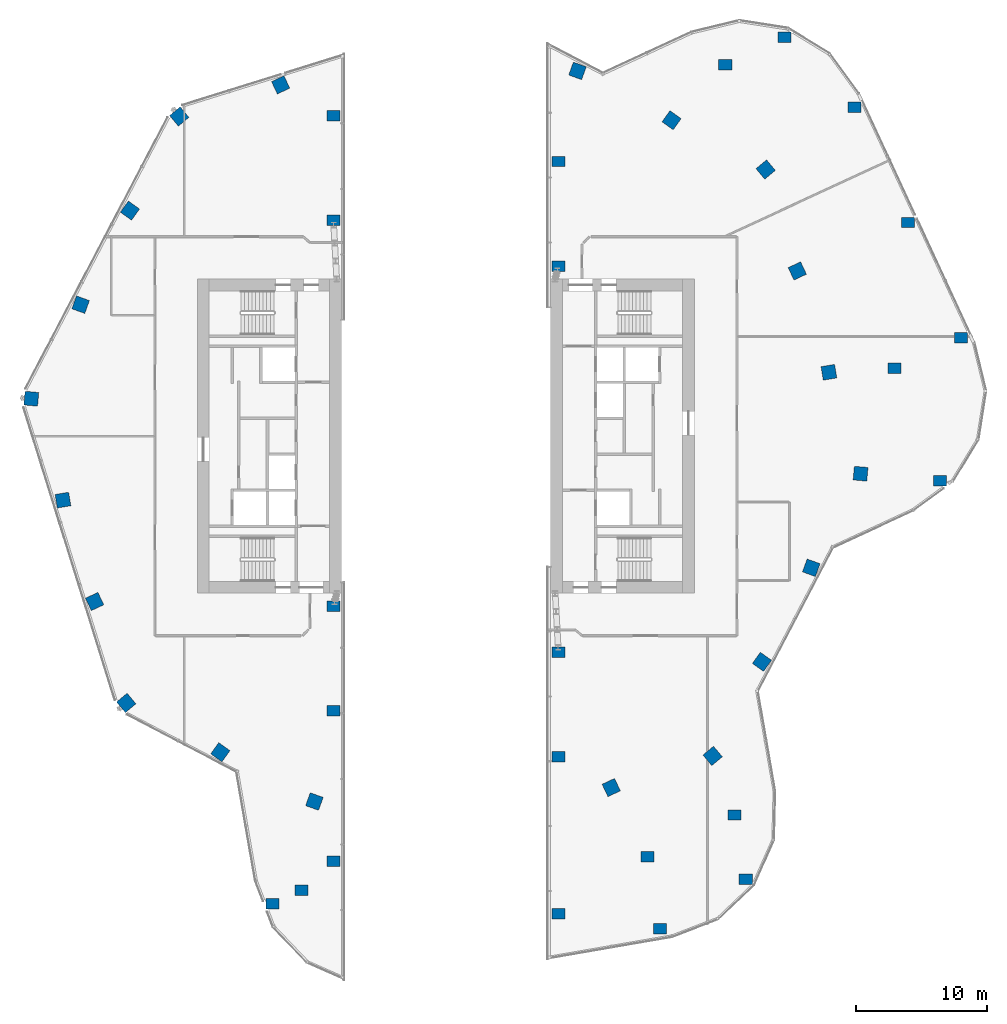
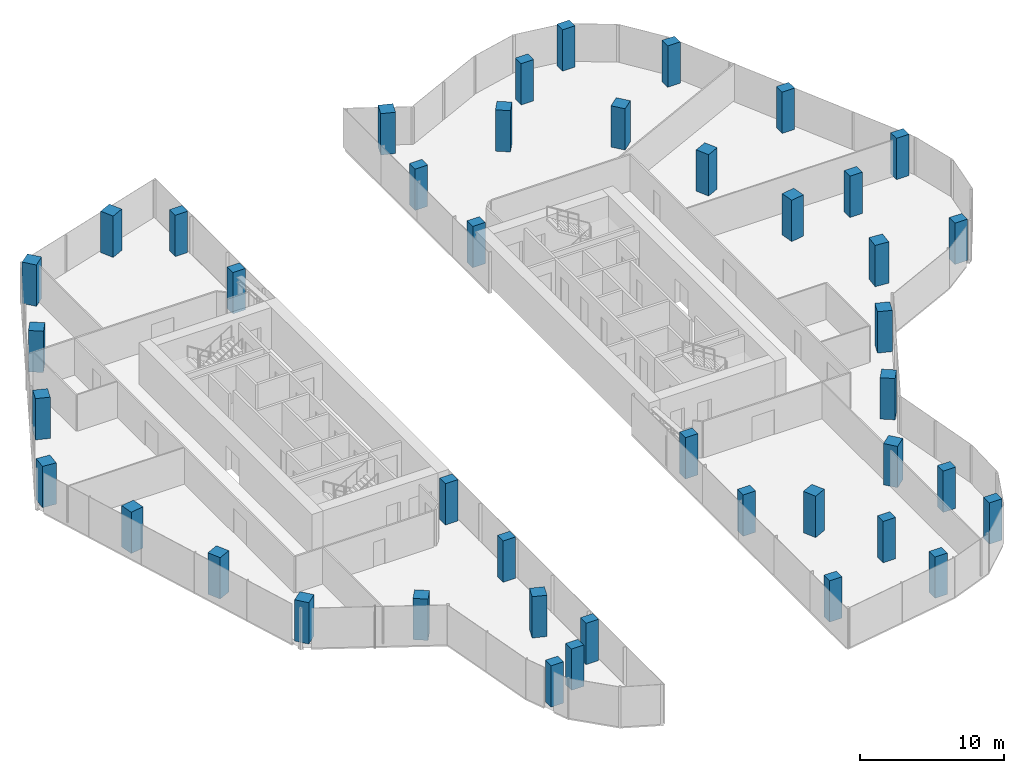
# One storey, part 1 of 23: 43 columns.
"""IFC4 building model written with IfcOpenShell, lengths in metres."""

from ifc_helpers import new_model, si_unit, direction, frame, origin, origin_2d, place, context, subcontext, project, spatial, rectangle, extrude, material, material_profile, profile_set, type_object, element, save


model = new_model("IFC4")

# Units and contexts
model_context = context("Model", 3, precision=1e-05, world=origin(), true_north=direction((0.0, 1.0)))
body_context = subcontext(model_context, "Body", "Model", "MODEL_VIEW")
ifc_project = project(units=[si_unit("LENGTHUNIT", "METRE"), si_unit("AREAUNIT", "SQUARE_METRE"), si_unit("VOLUMEUNIT", "CUBIC_METRE"), si_unit("PLANEANGLEUNIT", "RADIAN"), si_unit("MASSUNIT", "GRAM", prefix="KILO")], contexts=[model_context])

# Site, building, storey
site_placement = place(None, origin())
site = spatial("IfcSite", under=ifc_project, at=site_placement, CompositionType="ELEMENT")
building_placement = place(site_placement, origin())
building = spatial("IfcBuilding", under=site, at=building_placement, Name="Orlundy Tower", CompositionType="ELEMENT")
storey_placement = place(building_placement, frame((0.0, 0.0, 257.0)))
storey = spatial("IfcBuildingStorey", under=building, at=storey_placement, Name="L68", CompositionType="ELEMENT", Elevation=257.0)

# Columns
ifc_material_1 = material(Name="Concrete C60/75", Category="concrete")
ifc_material_profile_1 = material_profile(ifc_material_1, rectangle(XDim=1.0, YDim=0.800048828125, at=origin_2d()), Name="RC1000X800")
ifc_profile_set_1 = profile_set([ifc_material_profile_1], Name="Concrete C60/75")
column_type_1 = type_object("IfcColumnType", Name="RC COLUMN RC1000X800 C60/75", PredefinedType="COLUMN", material=ifc_profile_set_1)
for number, where, z_axis, x_axis, name in (
    (1, (37.758056640625, -3.389892578125, 0.0), (0.0, 0.0, 1.0), (1.0, 0.0, 0.0), "Column C-A1-1 L68"),
    (2, (39.376953125, 7.533935546875, 0.0), (0.0, 0.0, 1.0), (1.0, 0.0, 0.0), "Column C-A2-5 L68"),
    (3, (34.294921875, 5.181884765625, 0.0), (0.0, 0.0, 1.0), (1.0, 0.0, 0.0), "Column C-A2-6 L68"),
    (4, (35.302978515625, 16.3369140625, 0.0), (0.0, 0.0, 1.0), (1.0, 0.0, 0.0), "Column C-A3-5 L68"),
    (5, (31.22900390625, 25.139892578125, 0.0), (0.0, 0.0, 1.0), (1.0, 0.0, 0.0), "Column C-A4-5 L68"),
    (6, (25.885009765625, 30.48291015625, 0.0), (0.0, 0.0, 1.0), (1.0, 0.0, 0.0), "Column C-A5-5 L68"),
    (7, (21.346923828125, 28.383056640625, 0.0), (0.0, 0.0, 1.0), (1.0, 0.0, 0.0), "Column C-A5-6 L68"),
    (8, (-13.27392578125, -35.742919921875, 0.0), (0.0, 0.0, 1.0), (1.0, 0.0, 0.0), "Column C-B1-1 L68"),
    (9, (-11.031005859375, -34.68701171875, 0.0), (0.0, 0.0, 1.0), (1.0, 0.0, 0.0), "Column C-B1-6 L68"),
    (10, (16.3720703125, -37.656982421875, 0.0), (0.0, 0.0, 1.0), (1.0, 0.0, 0.0), "Column C-B4-5 L68"),
    (11, (15.4150390625, -32.138916015625, 0.0), (0.0, 0.0, 1.0), (1.0, 0.0, 0.0), "Column C-B4-6 L68"),
    (12, (22.916015625, -33.876953125, 0.0), (0.0, 0.0, 1.0), (1.0, 0.0, 0.0), "Column C-B5-5 L68"),
    (13, (22.06201171875, -28.950927734375, 0.0), (0.0, 0.0, 1.0), (1.0, 0.0, 0.0), "Column C-B5-6 L68"),
    (14, (8.60009765625, -36.5, 0.0), (0.0, 0.0, 1.0), (1.0, 0.0, 0.0), "Column C-SE1 L68"),
    (15, (8.60009765625, -24.5, 0.0), (0.0, 0.0, 1.0), (1.0, 0.0, 0.0), "Column C-SE2 L68"),
    (16, (8.60009765625, -16.5, 0.0), (0.0, 0.0, 1.0), (1.0, 0.0, 0.0), "Column C-SE3 L68"),
    (17, (8.60009765625, 13.0, 0.0), (0.0, 0.0, 1.0), (1.0, 0.0, 0.0), "Column C-SE4 L68"),
    (18, (8.60009765625, 21.0, 0.0), (0.0, 0.0, 1.0), (1.0, 0.0, 0.0), "Column C-SE5 L68"),
    (19, (-8.60009765625, 24.5, 0.0), (0.0, 0.0, 1.0), (1.0, 0.0, 0.0), "Column C-SW1 L68"),
    (20, (-8.60009765625, 16.5, 0.0), (0.0, 0.0, 1.0), (1.0, 0.0, 0.0), "Column C-SW2 L68"),
    (21, (-8.60009765625, -13.0, 0.0), (0.0, 0.0, 1.0), (1.0, 0.0, 0.0), "Column C-SW3 L68"),
    (22, (-8.60009765625, -21.0, 0.0), (0.0, 0.0, 1.0), (1.0, 0.0, 0.0), "Column C-SW4 L68"),
    (23, (-8.60009765625, -32.5, 0.0), (0.0, 0.0, 1.0), (1.0, 0.0, 0.0), "Column C-SW5 L68"),
):
    element("IfcColumn", number, at=place(storey_placement, frame(where, z_axis=z_axis, x_axis=x_axis)), inside=storey, type_object=column_type_1, Name=name, PredefinedType="COLUMN", context=body_context, shape_type="SweptSolid", body=[
        extrude(rectangle(XDim=1.0, YDim=0.800048828125, at=origin_2d()), origin(), (0.0, 0.0, 1.0), 3.5),
    ])
ifc_material_2 = material(Name="Concrete C60/75", Category="concrete")
ifc_material_profile_2 = material_profile(ifc_material_2, rectangle(XDim=1.050048828125, YDim=1.050048828125, at=origin_2d()), Name="RC1050X1050")
ifc_profile_set_2 = profile_set([ifc_material_profile_2], Name="Concrete C60/75")
column_type_2 = type_object("IfcColumnType", Name="RC COLUMN RC1050X1050 C60/75", PredefinedType="COLUMN", material=ifc_profile_set_2)
for number, where, z_axis, x_axis, name in (
    (24, (10.055908203125, 27.923095703125, 0.0), (0.0, 0.0, 1.0), (0.338836447191, 0.940845291243, 0.0), "Column C-H02 L68"),
    (25, (17.24609375, 24.154052734375, 0.0), (0.0, 0.0, 1.0), (0.581086534119, 0.813841778152, 0.0), "Column C-H03 L68"),
    (26, (24.43701171875, 20.384033203125, 0.0), (0.0, 0.0, 1.0), (0.767914719463, 0.640552092833, 0.0), "Column C-H04 L68"),
    (27, (26.85498046875, 12.634033203125, 0.0), (0.0, 0.0, 1.0), (0.904864205273, 0.425700328888, 0.0), "Column C-H05 L68"),
    (28, (29.27392578125, 4.884033203125, 0.0), (0.0, 0.0, 1.0), (0.986366141238, 0.1645655961, 0.0), "Column C-H06 L68"),
    (29, (31.693115234375, -2.865966796875, 0.0), (0.0, 0.0, 1.0), (0.99593643405, -0.09005897696, 0.0), "Column C-H07 L68"),
    (30, (27.923095703125, -10.055908203125, 0.0), (0.0, 0.0, 1.0), (0.940845291243, -0.338836447191, 0.0), "Column C-H08 L68"),
    (31, (24.154052734375, -17.24609375, 0.0), (0.0, 0.0, 1.0), (0.813841778152, -0.581086534119, 0.0), "Column C-H09 L68"),
    (32, (20.384033203125, -24.43701171875, 0.0), (0.0, 0.0, 1.0), (0.640552092833, -0.767914719463, 0.0), "Column C-H10 L68"),
    (33, (12.634033203125, -26.85498046875, 0.0), (0.0, 0.0, 1.0), (0.425700328888, -0.904864205273, 0.0), "Column C-H11 L68"),
    (34, (-10.055908203125, -27.923095703125, 0.0), (0.0, 0.0, 1.0), (-0.338836447191, -0.940845291243, 0.0), "Column C-H14 L68"),
    (35, (-17.24609375, -24.154052734375, 0.0), (0.0, 0.0, 1.0), (-0.581086534119, -0.813841778152, 0.0), "Column C-H15 L68"),
    (36, (-24.43701171875, -20.384033203125, 0.0), (0.0, 0.0, 1.0), (-0.767914719463, -0.640552092833, 0.0), "Column C-H16 L68"),
    (37, (-26.85498046875, -12.634033203125, 0.0), (0.0, 0.0, 1.0), (-0.904864205273, -0.425700328888, 0.0), "Column C-H17 L68"),
    (38, (-29.27392578125, -4.884033203125, 0.0), (0.0, 0.0, 1.0), (-0.986366141238, -0.1645655961, 0.0), "Column C-H18 L68"),
    (39, (-31.693115234375, 2.865966796875, 0.0), (0.0, 0.0, 1.0), (-0.99593643405, 0.09005897696, 0.0), "Column C-H19 L68"),
    (40, (-27.923095703125, 10.055908203125, 0.0), (0.0, 0.0, 1.0), (-0.940845291243, 0.338836447191, 0.0), "Column C-H20 L68"),
    (41, (-24.154052734375, 17.24609375, 0.0), (0.0, 0.0, 1.0), (-0.813841778152, 0.581086534119, 0.0), "Column C-H21 L68"),
    (42, (-20.384033203125, 24.43701171875, 0.0), (0.0, 0.0, 1.0), (-0.640552092833, 0.767914719463, 0.0), "Column C-H22 L68"),
    (43, (-12.634033203125, 26.85498046875, 0.0), (0.0, 0.0, 1.0), (-0.425700328888, 0.904864205273, 0.0), "Column C-H23 L68"),
):
    element("IfcColumn", number, at=place(storey_placement, frame(where, z_axis=z_axis, x_axis=x_axis)), inside=storey, type_object=column_type_2, Name=name, PredefinedType="COLUMN", context=body_context, shape_type="SweptSolid", body=[
        extrude(rectangle(XDim=1.050048828125, YDim=1.050048828125, at=origin_2d()), origin(), (0.0, 0.0, 1.0), 3.5),
    ])

save(model, "model.ifc")
